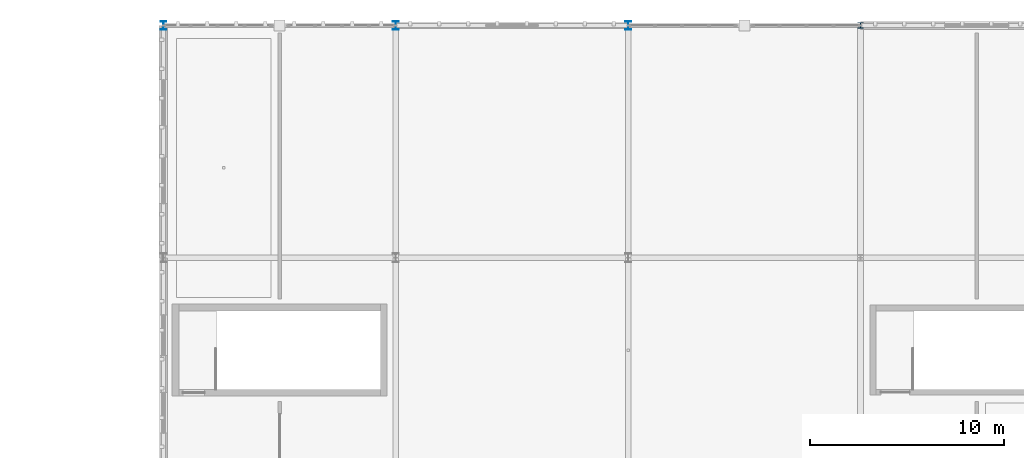
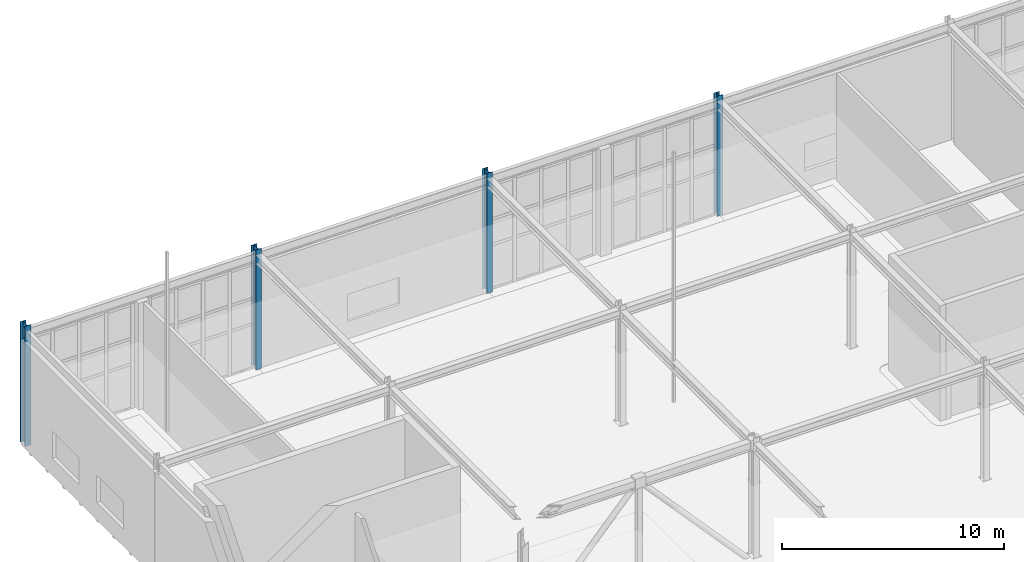
# One storey, part 5 of 62: 4 columns.
"""IFC4 building model written with IfcOpenShell, lengths in metres."""

from ifc_helpers import new_model, si_unit, direction, frame, origin, origin_2d, place, context, subcontext, project, spatial, i_section, extrude, material, material_profile, profile_set, type_object, element, save


model = new_model("IFC4")

# Units and contexts
model_context = context("Model", 3, precision=1e-05, world=origin(), true_north=direction((0.0, 1.0)))
body_context = subcontext(model_context, "Body", "Model", "MODEL_VIEW")
ifc_project = project(units=[si_unit("LENGTHUNIT", "METRE"), si_unit("AREAUNIT", "SQUARE_METRE"), si_unit("VOLUMEUNIT", "CUBIC_METRE"), si_unit("PLANEANGLEUNIT", "RADIAN"), si_unit("MASSUNIT", "GRAM", prefix="KILO")], contexts=[model_context])

# Site, building, storey
site_placement = place(None, origin())
site = spatial("IfcSite", under=ifc_project, at=site_placement, CompositionType="ELEMENT")
building_placement = place(site_placement, origin())
building = spatial("IfcBuilding", under=site, at=building_placement, Name="Zlatogorsky Bluff Art Gallery", CompositionType="ELEMENT")
storey_placement = place(building_placement, frame((0.0, 0.0, 16.800048828125)))
storey = spatial("IfcBuildingStorey", under=building, at=storey_placement, Name="L03", CompositionType="ELEMENT", Elevation=16.800048828125)

# Columns
ifc_material = material(Name="Steel S355", Category="steel")
ifc_material_profile_1 = material_profile(ifc_material, i_section(OverallWidth=0.300048828125, OverallDepth=0.449951171875, WebThickness=0.013916015625, FlangeThickness=0.02587890625, FilletRadius=0.027099609375, at=origin_2d()), Name="HEB 450")
ifc_profile_set_1 = profile_set([ifc_material_profile_1], Name="Steel S355")
column_type_1 = type_object("IfcColumnType", Name="Column CL-03 HEB 450", PredefinedType="COLUMN", material=ifc_profile_set_1)
for number, where, z_axis, x_axis, name in (
    (1, (0.0, 120.0, 0.0), (0.0, 0.0, 1.0), (1.0, 0.0, 0.0), "Column CL-03 L03 A12"),
    (2, (12.0, 120.0, 0.0), (0.0, 0.0, 1.0), (1.0, 0.0, 0.0), "Column CL-03 L03 B12"),
    (3, (24.0, 120.0, 0.0), (0.0, 0.0, 1.0), (1.0, 0.0, 0.0), "Column CL-03 L03 C12"),
):
    element("IfcColumn", number, at=place(storey_placement, frame(where, z_axis=z_axis, x_axis=x_axis)), inside=storey, type_object=column_type_1, Name=name, PredefinedType="COLUMN", context=body_context, shape_type="SweptSolid", body=[
        extrude(i_section(OverallWidth=0.300048828125, OverallDepth=0.449951171875, WebThickness=0.013916015625, FlangeThickness=0.02587890625, FilletRadius=0.027099609375, at=origin_2d()), origin(), (0.0, 0.0, 1.0), 6.599853515625),
    ])
ifc_material_profile_2 = material_profile(ifc_material, i_section(OverallWidth=0.300048828125, OverallDepth=0.300048828125, WebThickness=0.010986328125, FlangeThickness=0.01904296875, FilletRadius=0.027099609375, at=origin_2d()), Name="HEB 300")
ifc_profile_set_2 = profile_set([ifc_material_profile_2], Name="Steel S355")
column_type_2 = type_object("IfcColumnType", Name="Column CL-06 HEB 300", PredefinedType="COLUMN", material=ifc_profile_set_2)
column_placement = place(storey_placement, frame((36.0, 120.0, 0.0), z_axis=(0.0, 0.0, 1.0), x_axis=(1.0, 0.0, 0.0)))
element("IfcColumn", 4, at=column_placement, inside=storey, type_object=column_type_2, Name="Column CL-06 L03 D12", PredefinedType="COLUMN", context=body_context, shape_type="SweptSolid", body=[
    extrude(i_section(OverallWidth=0.300048828125, OverallDepth=0.300048828125, WebThickness=0.010986328125, FlangeThickness=0.01904296875, FilletRadius=0.027099609375, at=origin_2d()), origin(), (0.0, 0.0, 1.0), 6.599853515625),
])

save(model, "model.ifc")
